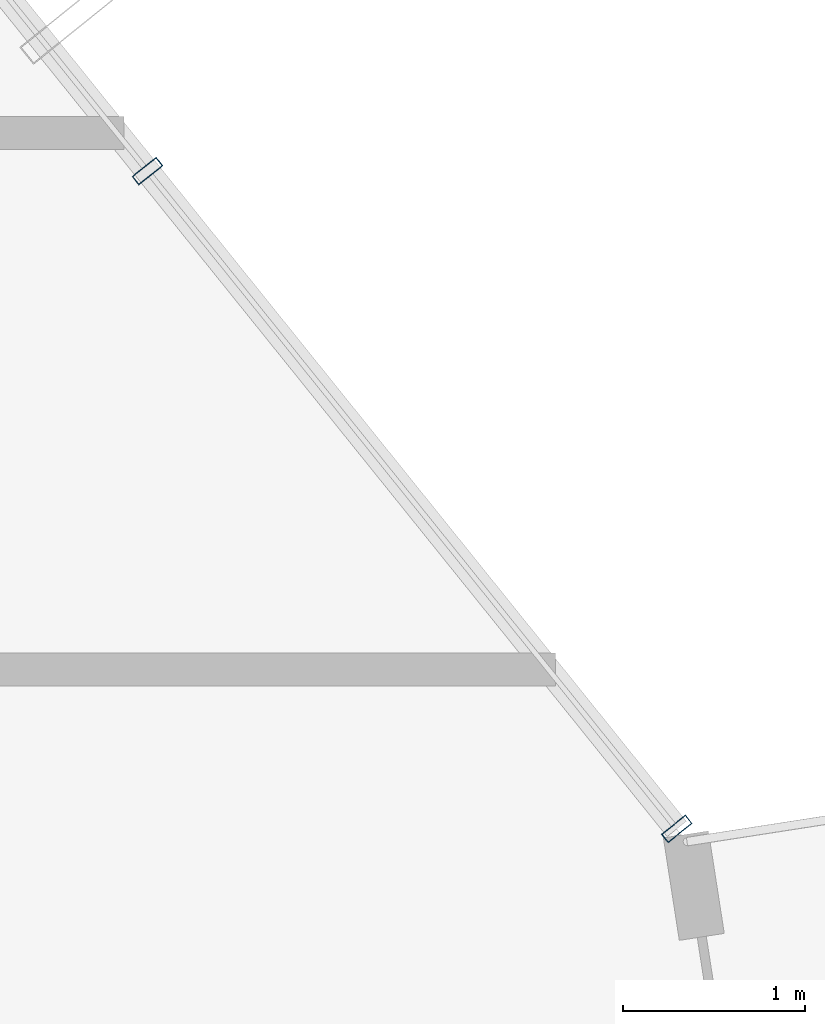
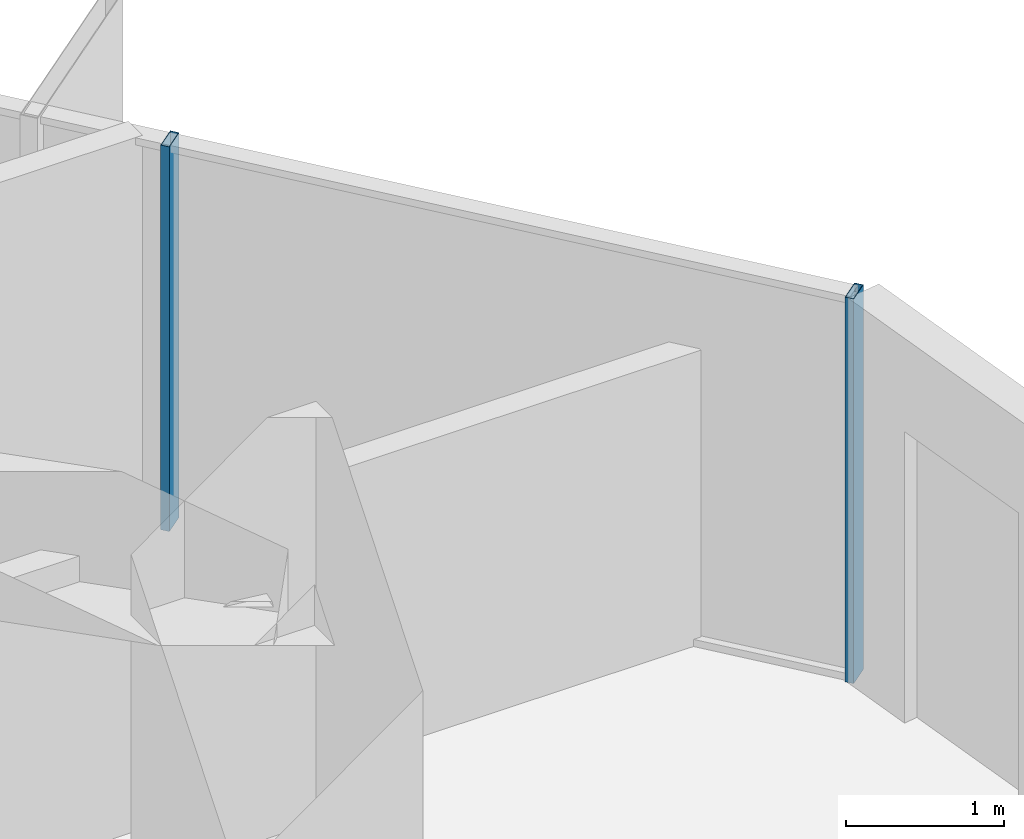
# One storey, part 20 of 37: 2 members, 1 element without a shape of its own.
"""IFC4 building model written with IfcOpenShell, lengths in metres."""

import ifcopenshell
import ifcopenshell.guid

model = None  # the IFC model being written
_history = None  # IfcOwnerHistory: only IFC2X3 demands one
_inside = {}  # id of a spatial element -> (the spatial element, [elements in it])
_under = {}  # id of a project, library or spatial element -> (it, [spatial elements below it])
_declared = {}  # id of a project -> (the project, [libraries it declares])
_typed = {}  # id of a type object -> (the type object, [elements of that type])
_made_of = {}  # id of a material, layer set ... -> (it, [elements and type objects made of it])


def new_model(schema):
    """Start an empty IFC model of exactly this schema.

    Asked for "IFC4X3", IfcOpenShell would pick the latest addendum, in which some entities
    have other attributes; the version numbers below select the first issue.
    IFC2X3 requires an IfcOwnerHistory on every rooted entity: one is made here for all.
    """
    global model, _history
    if schema == "IFC4X3":
        model = ifcopenshell.file(schema_version=(4, 3, 0, 0))
    else:
        model = ifcopenshell.file(schema=schema)
    _inside.clear()
    _under.clear()
    _declared.clear()
    _typed.clear()
    _made_of.clear()
    _history = None
    if model.schema == "IFC2X3":
        org = make("IfcOrganization", Name="unknown")
        user = make(
            "IfcPersonAndOrganization",
            ThePerson=make("IfcPerson", FamilyName="unknown"),
            TheOrganization=org,
        )
        app = make(
            "IfcApplication",
            ApplicationDeveloper=org,
            Version="unknown",
            ApplicationFullName="unknown",
            ApplicationIdentifier="unknown",
        )
        _history = make(
            "IfcOwnerHistory",
            OwningUser=user,
            OwningApplication=app,
            ChangeAction="ADDED",
            CreationDate=0,
        )
    return model


def make(cls, **values):
    """One entity of the class cls with the attributes given. An attribute that is None is left unset."""
    return model.create_entity(
        cls, **{name: value for name, value in values.items() if value is not None}
    )


def rooted(cls, **values):
    """An entity with a GlobalId (a new one), such as an element, a storey or a relation."""
    return make(cls, GlobalId=ifcopenshell.guid.new(), OwnerHistory=_history, **values)


def si_unit(unit_type, name, prefix=None):
    """IfcSIUnit, for example si_unit("LENGTHUNIT", "METRE", prefix="MILLI")."""
    return make("IfcSIUnit", UnitType=unit_type, Prefix=prefix, Name=name)


def assignment(units):
    """IfcUnitAssignment: the units of a project."""
    return None if units is None else make("IfcUnitAssignment", Units=units)


def point(xyz):
    """IfcCartesianPoint."""
    return None if xyz is None else make("IfcCartesianPoint", Coordinates=xyz)


def direction(xyz):
    """IfcDirection."""
    return None if xyz is None else make("IfcDirection", DirectionRatios=xyz)


def frame(location, z_axis=None, x_axis=None):
    """IfcAxis2Placement3D, a coordinate frame: its origin and axes. An axis left out is left unset."""
    return make(
        "IfcAxis2Placement3D",
        Location=point(location),
        Axis=direction(z_axis),
        RefDirection=direction(x_axis),
    )


def frame_2d(location, x_axis=None):
    """IfcAxis2Placement2D, a coordinate frame in the plane: its origin and x axis."""
    return make(
        "IfcAxis2Placement2D", Location=point(location), RefDirection=direction(x_axis)
    )


def origin():
    """The frame at (0, 0, 0) with its axes left unset."""
    return frame((0.0, 0.0, 0.0))


def origin_2d():
    """The frame at (0, 0) in the plane with its x axis left unset."""
    return frame_2d((0.0, 0.0))


def place(relative_to, where):
    """IfcLocalPlacement: puts the frame where relative to a parent placement (None: the world)."""
    return make(
        "IfcLocalPlacement", PlacementRelTo=relative_to, RelativePlacement=where
    )


def context(
    kind, dimensions, precision=None, world=None, true_north=None, identifier=None
):
    """IfcGeometricRepresentationContext, for example the 3D "Model" context."""
    return make(
        "IfcGeometricRepresentationContext",
        ContextIdentifier=identifier,
        ContextType=kind,
        CoordinateSpaceDimension=dimensions,
        Precision=precision,
        WorldCoordinateSystem=world,
        TrueNorth=true_north,
    )


def subcontext(parent, identifier, kind, view, scale=None):
    """IfcGeometricRepresentationSubContext, for example "Body" below "Model"."""
    return make(
        "IfcGeometricRepresentationSubContext",
        ContextIdentifier=identifier,
        ContextType=kind,
        ParentContext=parent,
        TargetScale=scale,
        TargetView=view,
    )


def project(units=None, contexts=None):
    """IfcProject with its units and contexts."""
    return rooted(
        "IfcProject",
        Name="project",
        RepresentationContexts=contexts,
        UnitsInContext=assignment(units),
    )


def spatial(cls, under=None, at=None, **own):
    """A site, building, storey or space (cls), placed at a placement, below another one or the project."""
    s = rooted(cls, ObjectPlacement=at, **own)
    if under is not None:
        _under.setdefault(under.id(), (under, []))[1].append(s)
    return s


def profile(cls, at=None, kind="AREA", **sizes):
    """A parametric profile (cls). Its sizes go by their IFC names, for example OverallWidth=200.0."""
    return make(cls, ProfileType=kind, Position=at, **sizes)


def hollow_rectangle(**sizes):
    """IfcRectangleHollowProfileDef."""
    return profile("IfcRectangleHollowProfileDef", **sizes)


def extrude(swept, where, along, depth):
    """IfcExtrudedAreaSolid: the profile swept, set in the frame where, extruded along a direction by depth."""
    return make(
        "IfcExtrudedAreaSolid",
        SweptArea=swept,
        Position=where,
        ExtrudedDirection=direction(along),
        Depth=depth,
    )


def shape(context_of_items, identifier, shape_type, items):
    """IfcShapeRepresentation: the items that make up one representation, for example the "Body"."""
    return make(
        "IfcShapeRepresentation",
        ContextOfItems=context_of_items,
        RepresentationIdentifier=identifier,
        RepresentationType=shape_type,
        Items=items,
    )


def source(mapping_origin, context_of_items, identifier, shape_type, items):
    """IfcRepresentationMap: a shape defined once, which mapped items show again and again."""
    return make(
        "IfcRepresentationMap",
        MappingOrigin=mapping_origin,
        MappedRepresentation=shape(context_of_items, identifier, shape_type, items),
    )


def transform(
    local_origin,
    x_axis=None,
    y_axis=None,
    z_axis=None,
    scale=None,
    scale2=None,
    scale3=None,
    uniform=True,
):
    """IfcCartesianTransformationOperator3D, or its non-uniform kind. x_axis, y_axis, z_axis: its Axis1, 2, 3."""
    if uniform:
        return make(
            "IfcCartesianTransformationOperator3D",
            Axis1=direction(x_axis),
            Axis2=direction(y_axis),
            LocalOrigin=point(local_origin),
            Scale=scale,
            Axis3=direction(z_axis),
        )
    return make(
        "IfcCartesianTransformationOperator3DnonUniform",
        Axis1=direction(x_axis),
        Axis2=direction(y_axis),
        LocalOrigin=point(local_origin),
        Scale=scale,
        Axis3=direction(z_axis),
        Scale2=scale2,
        Scale3=scale3,
    )


def mapped(mapping_source, mapping_target):
    """IfcMappedItem: shows the shape of a source again, moved by a transform."""
    return make(
        "IfcMappedItem", MappingSource=mapping_source, MappingTarget=mapping_target
    )


def material(Name=None, Category=None):
    """IfcMaterial."""
    return make("IfcMaterial", Name=Name, Category=Category)


def layer(
    of_material, thickness, ventilated=None, Name=None, Category=None, Priority=None
):
    """IfcMaterialLayer: one layer of a wall or slab, of a material (None: an air gap)."""
    return make(
        "IfcMaterialLayer",
        Material=of_material,
        LayerThickness=thickness,
        IsVentilated=ventilated,
        Name=Name,
        Category=Category,
        Priority=Priority,
    )


def layer_set(layers, Name=None):
    """IfcMaterialLayerSet."""
    return make("IfcMaterialLayerSet", MaterialLayers=layers, LayerSetName=Name)


def material_profile(
    of_material, cross_section, Name=None, Category=None, Priority=None
):
    """IfcMaterialProfile: a cross section and its material."""
    return make(
        "IfcMaterialProfile",
        Name=Name,
        Material=of_material,
        Profile=cross_section,
        Priority=Priority,
        Category=Category,
    )


def profile_set(profiles, Name=None, composite=None):
    """IfcMaterialProfileSet."""
    return make(
        "IfcMaterialProfileSet",
        Name=Name,
        MaterialProfiles=profiles,
        CompositeProfile=composite,
    )


def made_of(thing, what):
    """Note that an element or type object is made of a material, layer set ...; save() writes the relation."""
    if what is not None:
        _made_of.setdefault(what.id(), (what, []))[1].append(thing)
    return thing


def type_object(cls, material=None, **own):
    """A type object (cls), such as IfcWallType, which elements share."""
    return made_of(rooted(cls, **own), material)


def element(
    cls,
    number,
    at=None,
    inside=None,
    cuts=None,
    type_object=None,
    material=None,
    context=None,
    identifier="Body",
    shape_type=None,
    held_by="IfcProductDefinitionShape",
    body=None,
    shapes=None,
    **own,
):
    """One element of the class cls, such as IfcWall. Its Tag is "e" and its number.

    at: its placement. inside: the storey or other place that contains it. cuts: it is an
    opening in that element (IfcRelVoidsElement). A single representation is given by context,
    identifier, shape_type and body (its items); several are given by shapes. held_by: the class
    of the entity that holds the representations. save() writes the other relations.
    """
    e = rooted(cls, Tag="e%d" % number, ObjectPlacement=at, **own)
    if body is not None:
        shapes = [shape(context, identifier, shape_type, body)]
    if shapes is not None:
        e.Representation = make(held_by, Representations=shapes)
    if inside is not None:
        _inside.setdefault(inside.id(), (inside, []))[1].append(e)
    if cuts is not None:
        rooted(
            "IfcRelVoidsElement", RelatingBuildingElement=cuts, RelatedOpeningElement=e
        )
    if type_object is not None:
        _typed.setdefault(type_object.id(), (type_object, []))[1].append(e)
    return made_of(e, material)


def aggregate(whole, parts):
    """IfcRelAggregates: a whole, such as a stair, and the parts it consists of."""
    return rooted("IfcRelAggregates", RelatingObject=whole, RelatedObjects=parts)


def save(model, path):
    """Write the relations noted so far, then the file.

    IfcRelAggregates (storeys below a building ...), IfcRelContainedInSpatialStructure (elements
    in a storey), IfcRelDefinesByType, IfcRelAssociatesMaterial and IfcRelDeclares: one each for
    every whole, place, type object, material and project.
    """
    for whole, parts in _under.values():
        aggregate(whole, parts)
    for where, things in _inside.values():
        rooted(
            "IfcRelContainedInSpatialStructure",
            RelatedElements=things,
            RelatingStructure=where,
        )
    for kind, things in _typed.values():
        rooted("IfcRelDefinesByType", RelatedObjects=things, RelatingType=kind)
    for what, things in _made_of.values():
        rooted("IfcRelAssociatesMaterial", RelatedObjects=things, RelatingMaterial=what)
    for by, libraries in _declared.values():
        rooted("IfcRelDeclares", RelatingContext=by, RelatedDefinitions=libraries)
    model.write(path)


model = new_model("IFC4")

# Units and contexts
model_context = context("Model", 3, precision=1e-05, world=origin(), true_north=direction((0.0, 1.0)))
body_context = subcontext(model_context, "Body", "Model", "MODEL_VIEW")
ifc_project = project(units=[si_unit("LENGTHUNIT", "METRE"), si_unit("AREAUNIT", "SQUARE_METRE"), si_unit("VOLUMEUNIT", "CUBIC_METRE"), si_unit("PLANEANGLEUNIT", "RADIAN"), si_unit("MASSUNIT", "GRAM", prefix="KILO")], contexts=[model_context])

# Site, building, storey
site_placement = place(None, origin())
site = spatial("IfcSite", under=ifc_project, at=site_placement, CompositionType="ELEMENT")
building_placement = place(site_placement, origin())
building = spatial("IfcBuilding", under=site, at=building_placement, Name="Veraguas Prism Commons", CompositionType="ELEMENT")
storey_placement = place(building_placement, frame((0.0, 0.0, 53.300048828125)))
storey = spatial("IfcBuildingStorey", under=building, at=storey_placement, Name="L14", CompositionType="ELEMENT", Elevation=53.300048828125)

# Curtain wall, members
ifc_material = material(Name="Anodised aluminium EN AW-6063 T6", Category="aluminium")
ifc_layer = layer(ifc_material, 0.169921875, Name="Unitised Flush Curtain Wall Zone 1", Category="aluminium")
ifc_layer_set = layer_set([ifc_layer], Name="Anodised aluminium EN AW-6063 T6")
curtain_wall_type = type_object("IfcCurtainWallType", Name="Unitised Flush Curtain Wall Zone 1", PredefinedType="NOTDEFINED", material=ifc_layer_set)
curtain_wall_placement = place(storey_placement, origin())
curtain_wall = element("IfcCurtainWall", 1, at=curtain_wall_placement, inside=storey, type_object=curtain_wall_type, Name="Tower Facade Curtain Wall L14-F1", PredefinedType="NOTDEFINED")
ifc_material_profile = material_profile(ifc_material, hollow_rectangle(XDim=0.06005859375, YDim=0.169921875, WallThickness=0.00390625, at=origin_2d()), Name="AL60X170X4")
ifc_profile_set = profile_set([ifc_material_profile], Name="Anodised aluminium EN AW-6063 T6")
member_type = type_object("IfcMemberType", Name="Curtain Wall Mullion Lower AL 60x170x4", PredefinedType="MULLION", material=ifc_profile_set)
shared_shape = source(origin(), body_context, "Body", "SweptSolid", [
    extrude(hollow_rectangle(XDim=0.06005859375, YDim=0.169921875, WallThickness=0.00390625, at=origin_2d()), origin(), (0.0, 0.0, 1.0), 2.969970703125),
])
member_1_placement = place(storey_placement, frame((46.031005859375, 29.774169921875, 0.0), z_axis=(0.0, 0.0, 1.0), x_axis=(-0.626873093811, 0.779121379668, 0.0)))
member_1 = element("IfcMember", 2, at=member_1_placement, type_object=member_type, Name="CW-Z1 Mullion 1", PredefinedType="MULLION", context=body_context, shape_type="MappedRepresentation", body=[
    mapped(shared_shape, transform((0.0, 0.0, 0.0), scale=1.0)),
])
member_2_placement = place(storey_placement, frame((43.121826171875, 33.39013671875, 0.0), z_axis=(0.0, 0.0, 1.0), x_axis=(-0.626873093811, 0.779121379668, 0.0)))
member_2 = element("IfcMember", 3, at=member_2_placement, type_object=member_type, Name="CW-Z1 Mullion 2", PredefinedType="MULLION", context=body_context, shape_type="MappedRepresentation", body=[
    mapped(shared_shape, transform((0.0, 0.0, 0.0), scale=1.0)),
])
aggregate(curtain_wall, [member_1, member_2])

save(model, "model.ifc")
